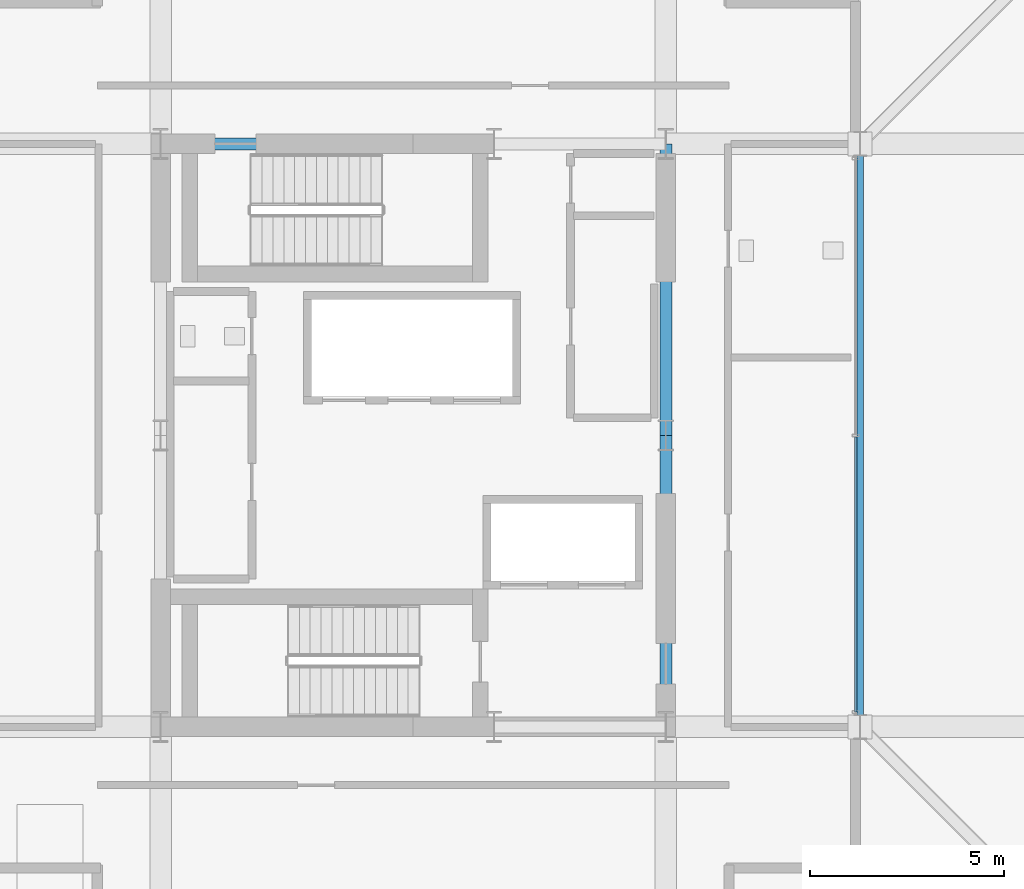
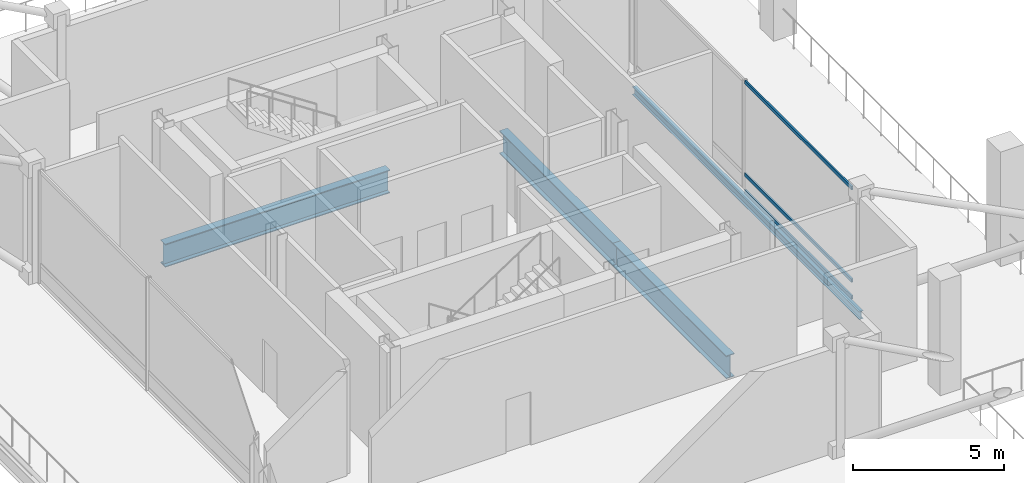
# One storey, part 8 of 17: 4 beams, 3 members, 1 element without a shape of its own.
"""IFC4 building model written with IfcOpenShell, lengths in metres."""

from ifc_helpers import new_model, si_unit, direction, frame, origin, origin_2d, place, context, subcontext, project, spatial, hollow_rectangle, i_section, extrude, material, layer, layer_set, material_profile, profile_set, type_object, element, aggregate, save


model = new_model("IFC4")

# Units and contexts
model_context = context("Model", 3, precision=1e-05, world=origin(), true_north=direction((0.0, 1.0)))
body_context = subcontext(model_context, "Body", "Model", "MODEL_VIEW")
ifc_project = project(units=[si_unit("LENGTHUNIT", "METRE"), si_unit("AREAUNIT", "SQUARE_METRE"), si_unit("VOLUMEUNIT", "CUBIC_METRE"), si_unit("PLANEANGLEUNIT", "RADIAN"), si_unit("MASSUNIT", "GRAM", prefix="KILO")], contexts=[model_context])

# Site, building, storey
site_placement = place(None, origin())
site = spatial("IfcSite", under=ifc_project, at=site_placement, CompositionType="ELEMENT")
building_placement = place(site_placement, origin())
building = spatial("IfcBuilding", under=site, at=building_placement, Name="Barlavira Tower and Art Museum", CompositionType="ELEMENT")
storey_placement = place(building_placement, frame((0.0, 0.0, 305.10009765625)))
storey = spatial("IfcBuildingStorey", under=building, at=storey_placement, Name="L80", CompositionType="ELEMENT", Elevation=305.10009765625)

# Beam
ifc_material_1 = material(Name="Steel S355", Category="steel")
ifc_material_profile_1 = material_profile(ifc_material_1, i_section(OverallWidth=0.1669921875, OverallDepth=0.31689453125, WebThickness=0.007568359375, FlangeThickness=0.01318359375, at=origin_2d()), Name="W310x52.0")
ifc_profile_set_1 = profile_set([ifc_material_profile_1], Name="Steel S355")
beam_type_1 = type_object("IfcBeamType", Name="Crown Floor Joist W310x52 Steel S355", PredefinedType="JOIST", material=ifc_profile_set_1)
beam_1_placement = place(storey_placement, frame((11.5, -7.5, -0.45849609375), z_axis=(0.0, 1.0, 0.0), x_axis=(-1.0, 0.0, 0.0)))
element("IfcBeam", 1, at=beam_1_placement, inside=storey, type_object=beam_type_1, Name="L80 Joist W2", PredefinedType="JOIST", context=body_context, shape_type="SweptSolid", body=[
    extrude(i_section(OverallWidth=0.1669921875, OverallDepth=0.31689453125, WebThickness=0.007568359375, FlangeThickness=0.01318359375, at=origin_2d()), origin(), (0.0, 0.0, 1.0), 15.0),
])

# Curtain wall, members
ifc_material_2 = material(Name="Low-iron coastal laminated glass", Category="glass")
ifc_layer = layer(ifc_material_2, 0.22998046875, Name="Low-iron coastal laminated glass")
ifc_layer_set = layer_set([ifc_layer], Name="Low-iron coastal laminated glass")
curtain_wall_type = type_object("IfcCurtainWallType", Name="Winter-Garden Conservatory Glazed Curtain Wall", PredefinedType="NOTDEFINED", material=ifc_layer_set)
curtain_wall_placement = place(storey_placement, origin())
curtain_wall = element("IfcCurtainWall", 2, at=curtain_wall_placement, inside=storey, type_object=curtain_wall_type, Name="L80 Curtain Wall CW7-L80-E-B2", PredefinedType="NOTDEFINED")
ifc_material_3 = material(Name="Pale anodised aluminium", Category="aluminium")
ifc_material_profile_2 = material_profile(ifc_material_3, hollow_rectangle(XDim=0.06494140625, YDim=0.139892578125, WallThickness=0.00390625, at=origin_2d()), Name="ALU-TRAN 65x140x4")
ifc_profile_set_2 = profile_set([ifc_material_profile_2], Name="Pale anodised aluminium")
member_type = type_object("IfcMemberType", Name="Curtain Wall Pale-Metal Transom 65x140", PredefinedType="USERDEFINED", material=ifc_profile_set_2)
member_1_placement = place(storey_placement, frame((11.3798828125, -7.12060546875, 0.06982421875), z_axis=(0.0, 1.0, 0.0), x_axis=(-1.0, 0.0, 0.0)))
member_1 = element("IfcMember", 3, at=member_1_placement, type_object=member_type, Name="CW7-L80-E-B2 Transom 0.1", ObjectType="TRANSOM", PredefinedType="USERDEFINED", context=body_context, shape_type="SweptSolid", body=[
    extrude(hollow_rectangle(XDim=0.06494140625, YDim=0.139892578125, WallThickness=0.00390625, at=origin_2d()), origin(), (0.0, 0.0, 1.0), 7.07568359375),
])
member_2_placement = place(storey_placement, frame((11.3798828125, -7.12060546875, 0.75), z_axis=(0.0, 1.0, 0.0), x_axis=(-1.0, 0.0, 0.0)))
member_2 = element("IfcMember", 4, at=member_2_placement, type_object=member_type, Name="CW7-L80-E-B2 Transom 0.2", ObjectType="TRANSOM", PredefinedType="USERDEFINED", context=body_context, shape_type="SweptSolid", body=[
    extrude(hollow_rectangle(XDim=0.06494140625, YDim=0.139892578125, WallThickness=0.00390625, at=origin_2d()), origin(), (0.0, 0.0, 1.0), 7.07568359375),
])
member_3_placement = place(storey_placement, frame((11.3798828125, -7.12060546875, 4.47998046875), z_axis=(0.0, 1.0, 0.0), x_axis=(-1.0, 0.0, 0.0)))
member_3 = element("IfcMember", 5, at=member_3_placement, type_object=member_type, Name="CW7-L80-E-B2 Transom 0.3", ObjectType="TRANSOM", PredefinedType="USERDEFINED", context=body_context, shape_type="SweptSolid", body=[
    extrude(hollow_rectangle(XDim=0.06494140625, YDim=0.139892578125, WallThickness=0.00390625, at=origin_2d()), origin(), (0.0, 0.0, 1.0), 7.07568359375),
])
aggregate(curtain_wall, [member_1, member_2, member_3])

# Beams
ifc_material_profile_3 = material_profile(ifc_material_1, i_section(OverallWidth=0.30908203125, OverallDepth=0.931884765625, WebThickness=0.01953125, FlangeThickness=0.034423828125, at=origin_2d()), Name="W920x313.0")
ifc_profile_set_3 = profile_set([ifc_material_profile_3], Name="Steel S355")
beam_type_2 = type_object("IfcBeamType", Name="Setback Ring Girder W920x313 Steel S355", PredefinedType="BEAM", material=ifc_profile_set_3)
beam_2_placement = place(storey_placement, frame((-6.5, 7.5, -0.76611328125), z_axis=(1.0, 0.0, 0.0), x_axis=(0.0, 1.0, 0.0)))
element("IfcBeam", 6, at=beam_2_placement, inside=storey, type_object=beam_type_2, Name="L80 Girder C-N1", PredefinedType="BEAM", context=body_context, shape_type="SweptSolid", body=[
    extrude(i_section(OverallWidth=0.30908203125, OverallDepth=0.931884765625, WebThickness=0.01953125, FlangeThickness=0.034423828125, at=origin_2d()), origin(), (0.0, 0.0, 1.0), 8.580078125),
])
for number, where, z_axis, x_axis, name in (
    (7, (6.5, -7.5, -0.76611328125), (0.0, 1.0, 0.0), (-1.0, 0.0, 0.0), "L80 Girder C-E1"),
    (8, (6.5, 0.0, -0.76611328125), (0.0, 1.0, 0.0), (-1.0, 0.0, 0.0), "L80 Girder C-E2"),
):
    element("IfcBeam", number, at=place(storey_placement, frame(where, z_axis=z_axis, x_axis=x_axis)), inside=storey, type_object=beam_type_2, Name=name, PredefinedType="BEAM", context=body_context, shape_type="SweptSolid", body=[
        extrude(i_section(OverallWidth=0.30908203125, OverallDepth=0.931884765625, WebThickness=0.01953125, FlangeThickness=0.034423828125, at=origin_2d()), origin(), (0.0, 0.0, 1.0), 7.5),
    ])

save(model, "model.ifc")
